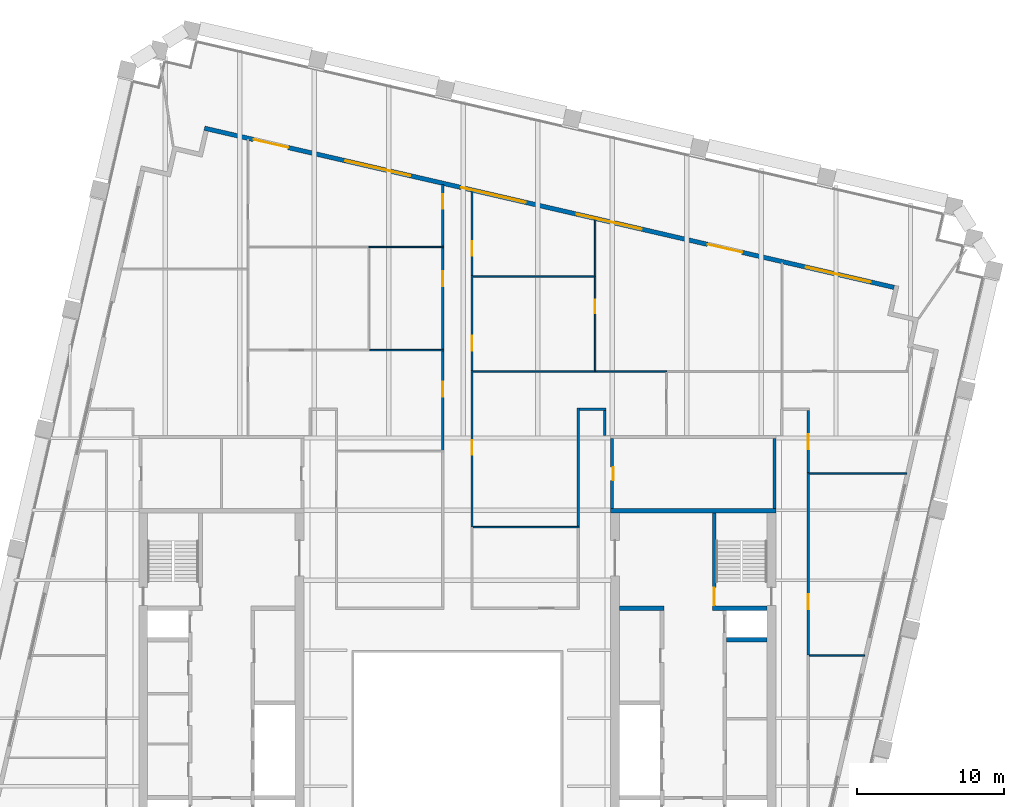
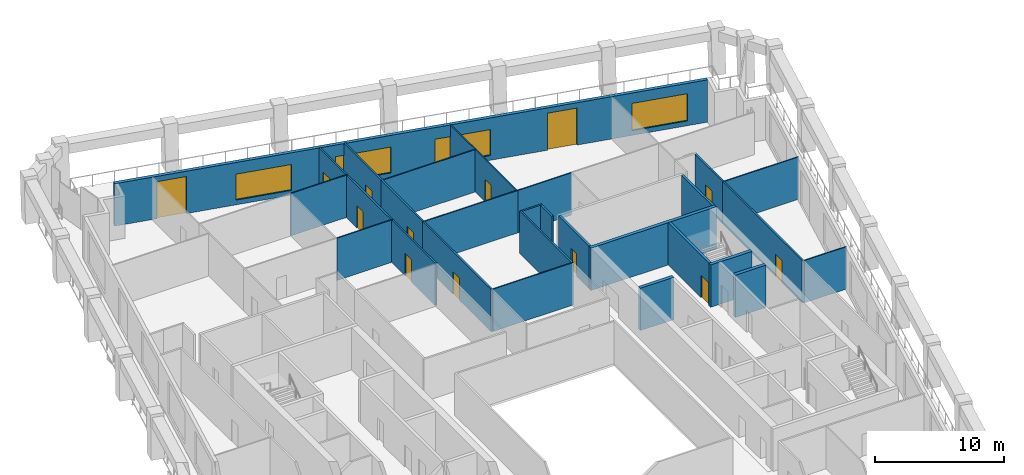
# One storey, part 7 of 9: 29 walls, 13 doors, 4 windows, 17 openings.
"""IFC4 building model written with IfcOpenShell, lengths in metres."""

from ifc_helpers import new_model, si_unit, direction, frame, frame_2d, origin, place, context, subcontext, project, spatial, rectangle, extrude, material, layer, layer_set, type_object, element, fill, save


model = new_model("IFC4")

# Units and contexts
model_context = context("Model", 3, precision=1e-05, world=origin(), true_north=direction((0.0, 1.0)))
body_context = subcontext(model_context, "Body", "Model", "MODEL_VIEW")
ifc_project = project(units=[si_unit("LENGTHUNIT", "METRE"), si_unit("AREAUNIT", "SQUARE_METRE"), si_unit("VOLUMEUNIT", "CUBIC_METRE"), si_unit("PLANEANGLEUNIT", "RADIAN"), si_unit("MASSUNIT", "GRAM", prefix="KILO")], contexts=[model_context])

# Site, building, storey
site_placement = place(None, origin())
site = spatial("IfcSite", under=ifc_project, at=site_placement, CompositionType="ELEMENT")
building_placement = place(site_placement, origin())
building = spatial("IfcBuilding", under=site, at=building_placement, Name="Ogive Exchange Tower", CompositionType="ELEMENT")
storey_placement = place(building_placement, frame((0.0, 0.0, 276.60009765625)))
storey = spatial("IfcBuildingStorey", under=building, at=storey_placement, Name="L60", CompositionType="ELEMENT", Elevation=276.60009765625)

# Wall
ifc_material_1 = material(Name="Gypsum board partition")
ifc_layer_1 = layer(ifc_material_1, 0.300048828125)
ifc_layer_set_1 = layer_set([ifc_layer_1], Name="Core room partition 300 gypsum")
wall_type_1 = type_object("IfcWallType", Name="Core room partition 300 gypsum", PredefinedType="PARTITIONING", material=ifc_layer_set_1)
wall_1_placement = place(storey_placement, frame((11.0, 19.0, 0.0), z_axis=(0.0, 0.0, 1.0), x_axis=(1.0, 0.0, 0.0)))
element("IfcWall", 1, at=wall_1_placement, inside=storey, type_object=wall_type_1, Name="E row B room end wall 7", PredefinedType="PARTITIONING", context=body_context, shape_type="SweptSolid", body=[
    extrude(rectangle(XDim=3.0, YDim=0.300048828125, at=frame_2d((1.5, 0.0))), origin(), (0.0, 0.0, 1.0), 4.0),
])

# Wall, opening, door
ifc_material_2 = material(Name="Fire partition EI 60 150")
ifc_layer_2 = layer(ifc_material_2, 0.14990234375)
ifc_layer_set_2 = layer_set([ifc_layer_2], Name="Fire partition EI 60 150")
wall_type_2 = type_object("IfcWallType", Name="Fire partition EI 60 150", PredefinedType="PARTITIONING", material=ifc_layer_set_2)
wall_2_placement = place(storey_placement, frame((-0.989990234375, 29.7099609375, 0.0), z_axis=(0.0, 0.0, 1.0), x_axis=(0.0, 1.0, 0.0)))
wall_2 = element("IfcWall", 2, at=wall_2_placement, inside=storey, type_object=wall_type_2, Name="L60-PWL-032", PredefinedType="PARTITIONING", context=body_context, shape_type="SweptSolid", body=[
    extrude(rectangle(XDim=6.739990234375, YDim=0.14990234375, at=frame_2d((3.3701171875, 0.0))), origin(), (0.0, 0.0, 1.0), 4.0),
])
opening_1_placement = place(wall_2_placement, frame((3.639892578125, 0.0, 0.0)))
opening_1 = element("IfcOpeningElement", 3, at=opening_1_placement, cuts=wall_2, Name="Opening L60-I16", PredefinedType="OPENING", context=body_context, shape_type="SweptSolid", body=[
    extrude(rectangle(XDim=1.0, YDim=2.10009765625, at=frame_2d((0.5, 1.050048828125))), frame((0.0, 0.0849609375, 0.0), z_axis=(0.0, -1.0, 0.0), x_axis=(1.0, 0.0, 0.0)), (0.0, 0.0, 1.0), 0.169921875),
])
ifc_material_3 = material(Name="Fire door FD 30S 1000 x 2100")
door_type_1 = type_object("IfcDoorType", Name="Fire door FD 30S 1000 x 2100", OperationType="NOTDEFINED", PredefinedType="DOOR", material=ifc_material_3)
door_1_placement = place(opening_1_placement, origin())
door_1 = element("IfcDoor", 4, at=door_1_placement, inside=storey, type_object=door_type_1, Name="L60-IDR-016", ObjectType="DT3", OperationType="SINGLE_SWING_LEFT", OverallHeight=2.10009765625, OverallWidth=1.0, PredefinedType="DOOR", context=body_context, shape_type="SweptSolid", body=[
    extrude(rectangle(XDim=1.0, YDim=2.10009765625, at=frame_2d((0.5, 1.050048828125))), frame((0.0, 0.02490234375, 0.0), z_axis=(0.0, -1.0, 0.0), x_axis=(1.0, 0.0, 0.0)), (0.0, 0.0, 1.0), 0.050048828125),
])
fill(opening_1, door_1)

wall_3_placement = place(storey_placement, frame((-0.989990234375, 36.550048828125, 0.0), z_axis=(0.0, 0.0, 1.0), x_axis=(0.0, 1.0, 0.0)))
wall_3 = element("IfcWall", 5, at=wall_3_placement, inside=storey, type_object=wall_type_2, Name="L60-PWL-033", PredefinedType="PARTITIONING", context=body_context, shape_type="SweptSolid", body=[
    extrude(rectangle(XDim=6.89990234375, YDim=0.14990234375, at=frame_2d((3.449951171875, 0.0))), origin(), (0.0, 0.0, 1.0), 4.0),
])
opening_2_placement = place(wall_3_placement, frame((4.300048828125, 0.0, 0.0)))
opening_2 = element("IfcOpeningElement", 6, at=opening_2_placement, cuts=wall_3, Name="Opening L60-I18", PredefinedType="OPENING", context=body_context, shape_type="SweptSolid", body=[
    extrude(rectangle(XDim=1.0, YDim=2.10009765625, at=frame_2d((0.5, 1.050048828125))), frame((0.0, 0.0849609375, 0.0), z_axis=(0.0, -1.0, 0.0), x_axis=(1.0, 0.0, 0.0)), (0.0, 0.0, 1.0), 0.169921875),
])
door_2_placement = place(opening_2_placement, origin())
door_2 = element("IfcDoor", 7, at=door_2_placement, inside=storey, type_object=door_type_1, Name="L60-IDR-018", ObjectType="DT3", OperationType="SINGLE_SWING_LEFT", OverallHeight=2.10009765625, OverallWidth=1.0, PredefinedType="DOOR", context=body_context, shape_type="SweptSolid", body=[
    extrude(rectangle(XDim=1.0, YDim=2.10009765625, at=frame_2d((0.5, 1.050048828125))), frame((0.0, 0.02490234375, 0.0), z_axis=(0.0, -1.0, 0.0), x_axis=(1.0, 0.0, 0.0)), (0.0, 0.0, 1.0), 0.050048828125),
])
fill(opening_2, door_2)

wall_4_placement = place(storey_placement, frame((-0.989990234375, 43.550048828125, 0.0), z_axis=(0.0, 0.0, 1.0), x_axis=(0.0, 1.0, 0.0)))
wall_4 = element("IfcWall", 8, at=wall_4_placement, inside=storey, type_object=wall_type_2, Name="L60-PWL-034", PredefinedType="PARTITIONING", context=body_context, shape_type="SweptSolid", body=[
    extrude(rectangle(XDim=4.202880859375, YDim=0.14990234375, at=frame_2d((2.1015625, 0.0))), origin(), (0.0, 0.0, 1.0), 4.0),
])
opening_3_placement = place(wall_4_placement, frame((2.530029296875, 0.0, 0.0)))
opening_3 = element("IfcOpeningElement", 9, at=opening_3_placement, cuts=wall_4, Name="Opening L60-I19", PredefinedType="OPENING", context=body_context, shape_type="SweptSolid", body=[
    extrude(rectangle(XDim=1.0, YDim=2.10009765625, at=frame_2d((0.5, 1.050048828125))), frame((0.0, 0.0849609375, 0.0), z_axis=(0.0, -1.0, 0.0), x_axis=(1.0, 0.0, 0.0)), (0.0, 0.0, 1.0), 0.169921875),
])
door_3_placement = place(opening_3_placement, origin())
door_3 = element("IfcDoor", 10, at=door_3_placement, inside=storey, type_object=door_type_1, Name="L60-IDR-019", ObjectType="DT3", OperationType="SINGLE_SWING_LEFT", OverallHeight=2.10009765625, OverallWidth=1.0, PredefinedType="DOOR", context=body_context, shape_type="SweptSolid", body=[
    extrude(rectangle(XDim=1.0, YDim=2.10009765625, at=frame_2d((0.5, 1.050048828125))), frame((0.0, 0.02490234375, 0.0), z_axis=(0.0, -1.0, 0.0), x_axis=(1.0, 0.0, 0.0)), (0.0, 0.0, 1.0), 0.050048828125),
])
fill(opening_3, door_3)

wall_5_placement = place(storey_placement, frame((0.989990234375, 35.1201171875, 0.0), z_axis=(0.0, 0.0, 1.0), x_axis=(0.0, -1.0, 0.0)))
wall_5 = element("IfcWall", 11, at=wall_5_placement, inside=storey, type_object=wall_type_2, Name="L60-PWL-039", PredefinedType="PARTITIONING", context=body_context, shape_type="SweptSolid", body=[
    extrude(rectangle(XDim=10.6201171875, YDim=0.14990234375, at=frame_2d((5.31005859375, 0.0))), origin(), (0.0, 0.0, 1.0), 4.0),
])
opening_4_placement = place(wall_5_placement, frame((4.719970703125, 0.0, 0.0)))
opening_4 = element("IfcOpeningElement", 12, at=opening_4_placement, cuts=wall_5, Name="Opening L60-I05", PredefinedType="OPENING", context=body_context, shape_type="SweptSolid", body=[
    extrude(rectangle(XDim=1.0, YDim=2.10009765625, at=frame_2d((0.5, 1.050048828125))), frame((0.0, 0.0849609375, 0.0), z_axis=(0.0, -1.0, 0.0), x_axis=(1.0, 0.0, 0.0)), (0.0, 0.0, 1.0), 0.169921875),
])
door_4_placement = place(opening_4_placement, origin())
door_4 = element("IfcDoor", 13, at=door_4_placement, inside=storey, type_object=door_type_1, Name="L60-IDR-005", ObjectType="DT3", OperationType="SINGLE_SWING_LEFT", OverallHeight=2.10009765625, OverallWidth=1.0, PredefinedType="DOOR", context=body_context, shape_type="SweptSolid", body=[
    extrude(rectangle(XDim=1.0, YDim=2.10009765625, at=frame_2d((0.5, 1.050048828125))), frame((0.0, 0.02490234375, 0.0), z_axis=(0.0, -1.0, 0.0), x_axis=(1.0, 0.0, 0.0)), (0.0, 0.0, 1.0), 0.050048828125),
])
fill(opening_4, door_4)

wall_6_placement = place(storey_placement, frame((0.989990234375, 41.550048828125, 0.0), z_axis=(0.0, 0.0, 1.0), x_axis=(0.0, -1.0, 0.0)))
wall_6 = element("IfcWall", 14, at=wall_6_placement, inside=storey, type_object=wall_type_2, Name="L60-PWL-040", PredefinedType="PARTITIONING", context=body_context, shape_type="SweptSolid", body=[
    extrude(rectangle(XDim=6.429931640625, YDim=0.14990234375, at=frame_2d((3.21484375, 0.0))), origin(), (0.0, 0.0, 1.0), 4.0),
])
opening_5_placement = place(wall_6_placement, frame((4.080078125, 0.0, 0.0)))
opening_5 = element("IfcOpeningElement", 15, at=opening_5_placement, cuts=wall_6, Name="Opening L60-I03", PredefinedType="OPENING", context=body_context, shape_type="SweptSolid", body=[
    extrude(rectangle(XDim=1.0, YDim=2.10009765625, at=frame_2d((0.5, 1.050048828125))), frame((0.0, 0.0849609375, 0.0), z_axis=(0.0, -1.0, 0.0), x_axis=(1.0, 0.0, 0.0)), (0.0, 0.0, 1.0), 0.169921875),
])
door_5_placement = place(opening_5_placement, origin())
door_5 = element("IfcDoor", 16, at=door_5_placement, inside=storey, type_object=door_type_1, Name="L60-IDR-003", ObjectType="DT3", OperationType="SINGLE_SWING_LEFT", OverallHeight=2.10009765625, OverallWidth=1.0, PredefinedType="DOOR", context=body_context, shape_type="SweptSolid", body=[
    extrude(rectangle(XDim=1.0, YDim=2.10009765625, at=frame_2d((0.5, 1.050048828125))), frame((0.0, 0.02490234375, 0.0), z_axis=(0.0, -1.0, 0.0), x_axis=(1.0, 0.0, 0.0)), (0.0, 0.0, 1.0), 0.050048828125),
])
fill(opening_5, door_5)

wall_7_placement = place(storey_placement, frame((0.989990234375, 47.2958984375, 0.0), z_axis=(0.0, 0.0, 1.0), x_axis=(0.0, -1.0, 0.0)))
wall_7 = element("IfcWall", 17, at=wall_7_placement, inside=storey, type_object=wall_type_2, Name="L60-PWL-041", PredefinedType="PARTITIONING", context=body_context, shape_type="SweptSolid", body=[
    extrude(rectangle(XDim=5.745849609375, YDim=0.14990234375, at=frame_2d((2.873046875, 0.0))), origin(), (0.0, 0.0, 1.0), 4.0),
])
opening_6_placement = place(wall_7_placement, frame((3.39599609375, 0.0, 0.0)))
opening_6 = element("IfcOpeningElement", 18, at=opening_6_placement, cuts=wall_7, Name="Opening L60-I02", PredefinedType="OPENING", context=body_context, shape_type="SweptSolid", body=[
    extrude(rectangle(XDim=1.0, YDim=2.10009765625, at=frame_2d((0.5, 1.050048828125))), frame((0.0, 0.0849609375, 0.0), z_axis=(0.0, -1.0, 0.0), x_axis=(1.0, 0.0, 0.0)), (0.0, 0.0, 1.0), 0.169921875),
])
door_6_placement = place(opening_6_placement, origin())
door_6 = element("IfcDoor", 19, at=door_6_placement, inside=storey, type_object=door_type_1, Name="L60-IDR-002", ObjectType="DT3", OperationType="SINGLE_SWING_LEFT", OverallHeight=2.10009765625, OverallWidth=1.0, PredefinedType="DOOR", context=body_context, shape_type="SweptSolid", body=[
    extrude(rectangle(XDim=1.0, YDim=2.10009765625, at=frame_2d((0.5, 1.050048828125))), frame((0.0, 0.02490234375, 0.0), z_axis=(0.0, -1.0, 0.0), x_axis=(1.0, 0.0, 0.0)), (0.0, 0.0, 1.0), 0.050048828125),
])
fill(opening_6, door_6)

# Walls
wall_8_placement = place(storey_placement, frame((8.199951171875, 24.550048828125, 0.0), z_axis=(0.0, 0.0, 1.0), x_axis=(0.0, 1.0, 0.0)))
element("IfcWall", 20, at=wall_8_placement, inside=storey, type_object=wall_type_2, Name="L60-PWL-043", PredefinedType="PARTITIONING", context=body_context, shape_type="SweptSolid", body=[
    extrude(rectangle(XDim=8.02490234375, YDim=0.14990234375, at=frame_2d((4.012451171875, 0.0))), origin(), (0.0, 0.0, 1.0), 4.0),
])
wall_9_placement = place(storey_placement, frame((8.27490234375, 32.5, 0.0), z_axis=(0.0, 0.0, 1.0), x_axis=(1.0, 0.0, 0.0)))
element("IfcWall", 21, at=wall_9_placement, inside=storey, type_object=wall_type_2, Name="L60-PWL-044", PredefinedType="PARTITIONING", context=body_context, shape_type="SweptSolid", body=[
    extrude(rectangle(XDim=1.800048828125, YDim=0.14990234375, at=frame_2d((0.89990234375, 0.0))), origin(), (0.0, 0.0, 1.0), 4.0),
])
wall_10_placement = place(storey_placement, frame((10.0, 32.425048828125, 0.0), z_axis=(0.0, 0.0, 1.0), x_axis=(0.0, -1.0, 0.0)))
element("IfcWall", 22, at=wall_10_placement, inside=storey, type_object=wall_type_2, Name="L60-PWL-053", PredefinedType="PARTITIONING", context=body_context, shape_type="SweptSolid", body=[
    extrude(rectangle(XDim=1.72509765625, YDim=0.14990234375, at=frame_2d((0.862548828125, 0.0))), origin(), (0.0, 0.0, 1.0), 4.0),
])

# Wall, opening, door
wall_11_placement = place(storey_placement, frame((23.800048828125, 28.18994140625, 0.0), z_axis=(0.0, 0.0, 1.0), x_axis=(0.0, -1.0, 0.0)))
wall_11 = element("IfcWall", 23, at=wall_11_placement, inside=storey, type_object=wall_type_2, Name="L60-PWL-068", PredefinedType="PARTITIONING", context=body_context, shape_type="SweptSolid", body=[
    extrude(rectangle(XDim=12.349853515625, YDim=0.14990234375, at=frame_2d((6.1748046875, 0.0))), origin(), (0.0, 0.0, 1.0), 4.0),
])
opening_7_placement = place(wall_11_placement, frame((8.25, 0.0, 0.0)))
opening_7 = element("IfcOpeningElement", 24, at=opening_7_placement, cuts=wall_11, Name="Opening L60-I11", PredefinedType="OPENING", context=body_context, shape_type="SweptSolid", body=[
    extrude(rectangle(XDim=1.0, YDim=2.10009765625, at=frame_2d((0.5, 1.050048828125))), frame((0.0, 0.0849609375, 0.0), z_axis=(0.0, -1.0, 0.0), x_axis=(1.0, 0.0, 0.0)), (0.0, 0.0, 1.0), 0.169921875),
])
door_7_placement = place(opening_7_placement, origin())
door_7 = element("IfcDoor", 25, at=door_7_placement, inside=storey, type_object=door_type_1, Name="L60-IDR-011", ObjectType="DT3", OperationType="SINGLE_SWING_LEFT", OverallHeight=2.10009765625, OverallWidth=1.0, PredefinedType="DOOR", context=body_context, shape_type="SweptSolid", body=[
    extrude(rectangle(XDim=1.0, YDim=2.10009765625, at=frame_2d((0.5, 1.050048828125))), frame((0.0, 0.02490234375, 0.0), z_axis=(0.0, -1.0, 0.0), x_axis=(1.0, 0.0, 0.0)), (0.0, 0.0, 1.0), 0.050048828125),
])
fill(opening_7, door_7)

wall_12_placement = place(storey_placement, frame((23.800048828125, 32.425048828125, 0.0), z_axis=(0.0, 0.0, 1.0), x_axis=(0.0, -1.0, 0.0)))
wall_12 = element("IfcWall", 26, at=wall_12_placement, inside=storey, type_object=wall_type_2, Name="L60-PWL-070", PredefinedType="PARTITIONING", context=body_context, shape_type="SweptSolid", body=[
    extrude(rectangle(XDim=4.235107421875, YDim=0.14990234375, at=frame_2d((2.11767578125, 0.0))), origin(), (0.0, 0.0, 1.0), 4.0),
])
opening_8_placement = place(wall_12_placement, frame((1.635009765625, 0.0, 0.0)))
opening_8 = element("IfcOpeningElement", 27, at=opening_8_placement, cuts=wall_12, Name="Opening L60-I12", PredefinedType="OPENING", context=body_context, shape_type="SweptSolid", body=[
    extrude(rectangle(XDim=1.0, YDim=2.10009765625, at=frame_2d((0.5, 1.050048828125))), frame((0.0, 0.0849609375, 0.0), z_axis=(0.0, -1.0, 0.0), x_axis=(1.0, 0.0, 0.0)), (0.0, 0.0, 1.0), 0.169921875),
])
door_8_placement = place(opening_8_placement, origin())
door_8 = element("IfcDoor", 28, at=door_8_placement, inside=storey, type_object=door_type_1, Name="L60-IDR-012", ObjectType="DT3", OperationType="SINGLE_SWING_LEFT", OverallHeight=2.10009765625, OverallWidth=1.0, PredefinedType="DOOR", context=body_context, shape_type="SweptSolid", body=[
    extrude(rectangle(XDim=1.0, YDim=2.10009765625, at=frame_2d((0.5, 1.050048828125))), frame((0.0, 0.02490234375, 0.0), z_axis=(0.0, -1.0, 0.0), x_axis=(1.0, 0.0, 0.0)), (0.0, 0.0, 1.0), 0.050048828125),
])
fill(opening_8, door_8)

# Wall, openings, doors, windows
ifc_material_4 = material(Name="Precast concrete C40/50", Category="concrete")
ifc_layer_3 = layer(ifc_material_4, 0.300048828125)
ifc_layer_set_3 = layer_set([ifc_layer_3], Name="Limestone-faced wall 300")
wall_type_3 = type_object("IfcWallType", Name="Limestone-faced wall 300", PredefinedType="STANDARD", material=ifc_layer_set_3)
wall_13_placement = place(storey_placement, frame((29.6162109375, 40.75830078125, 0.0), z_axis=(0.0, 0.0, 1.0), x_axis=(-0.974370532314, 0.224949029246, 0.0)))
wall_13 = element("IfcWall", 29, at=wall_13_placement, inside=storey, type_object=wall_type_3, Name="External wall N3", PredefinedType="STANDARD", context=body_context, shape_type="SweptSolid", body=[
    extrude(rectangle(XDim=48.000244140625, YDim=0.300048828125, at=frame_2d((24.0, 0.0))), origin(), (0.0, 0.0, 1.0), 4.0),
])
opening_9_placement = place(wall_13_placement, frame((1.625, 0.0, 0.449951171875)))
opening_9 = element("IfcOpeningElement", 30, at=opening_9_placement, cuts=wall_13, Name="Opening W1M", PredefinedType="OPENING", context=body_context, shape_type="SweptSolid", body=[
    extrude(rectangle(XDim=4.5, YDim=2.574951171875, at=frame_2d((2.25, 1.28759765625))), frame((0.0, 0.159912109375, 0.0), z_axis=(0.0, -1.0, 0.0), x_axis=(1.0, 0.0, 0.0)), (0.0, 0.0, 1.0), 0.320068359375),
])
opening_10_placement = place(wall_13_placement, frame((10.574951171875, 0.0, 0.0)))
opening_10 = element("IfcOpeningElement", 31, at=opening_10_placement, cuts=wall_13, Name="Opening D1", PredefinedType="OPENING", context=body_context, shape_type="SweptSolid", body=[
    extrude(rectangle(XDim=2.39990234375, YDim=3.5, at=frame_2d((1.199951171875, 1.75))), frame((0.0, 0.159912109375, 0.0), z_axis=(0.0, -1.0, 0.0), x_axis=(1.0, 0.0, 0.0)), (0.0, 0.0, 1.0), 0.320068359375),
])
opening_11_placement = place(wall_13_placement, frame((17.574951171875, 0.0, 0.449951171875)))
opening_11 = element("IfcOpeningElement", 32, at=opening_11_placement, cuts=wall_13, Name="Opening W1Q", PredefinedType="OPENING", context=body_context, shape_type="SweptSolid", body=[
    extrude(rectangle(XDim=4.5, YDim=2.449951171875, at=frame_2d((2.25, 1.22509765625))), frame((0.0, 0.159912109375, 0.0), z_axis=(0.0, -1.0, 0.0), x_axis=(1.0, 0.0, 0.0)), (0.0, 0.0, 1.0), 0.320068359375),
])
opening_12_placement = place(wall_13_placement, frame((25.625, 0.0, 0.449951171875)))
opening_12 = element("IfcOpeningElement", 33, at=opening_12_placement, cuts=wall_13, Name="Opening W1Q", PredefinedType="OPENING", context=body_context, shape_type="SweptSolid", body=[
    extrude(rectangle(XDim=4.5, YDim=2.449951171875, at=frame_2d((2.25, 1.22509765625))), frame((0.0, 0.159912109375, 0.0), z_axis=(0.0, -1.0, 0.0), x_axis=(1.0, 0.0, 0.0)), (0.0, 0.0, 1.0), 0.320068359375),
])
opening_13_placement = place(wall_13_placement, frame((33.675048828125, 0.0, 0.449951171875)))
opening_13 = element("IfcOpeningElement", 34, at=opening_13_placement, cuts=wall_13, Name="Opening W1Q", PredefinedType="OPENING", context=body_context, shape_type="SweptSolid", body=[
    extrude(rectangle(XDim=4.5, YDim=2.449951171875, at=frame_2d((2.25, 1.22509765625))), frame((0.0, 0.159912109375, 0.0), z_axis=(0.0, -1.0, 0.0), x_axis=(1.0, 0.0, 0.0)), (0.0, 0.0, 1.0), 0.320068359375),
])
opening_14_placement = place(wall_13_placement, frame((42.175048828125, 0.0, 0.0)))
opening_14 = element("IfcOpeningElement", 35, at=opening_14_placement, cuts=wall_13, Name="Opening D1", PredefinedType="OPENING", context=body_context, shape_type="SweptSolid", body=[
    extrude(rectangle(XDim=2.39990234375, YDim=3.5, at=frame_2d((1.199951171875, 1.75))), frame((0.0, 0.159912109375, 0.0), z_axis=(0.0, -1.0, 0.0), x_axis=(1.0, 0.0, 0.0)), (0.0, 0.0, 1.0), 0.320068359375),
])
ifc_material_5 = material(Name="Clear glass in bronze frame", Category="glass")
door_type_2 = type_object("IfcDoorType", Name="Sliding loggia door 2400 x 3500", OperationType="DOUBLE_DOOR_SLIDING", PredefinedType="DOOR", material=ifc_material_5)
door_9_placement = place(opening_10_placement, origin())
door_9 = element("IfcDoor", 36, at=door_9_placement, inside=storey, type_object=door_type_2, Name="Loggia door N01", OperationType="DOUBLE_DOOR_SLIDING", OverallHeight=3.5, OverallWidth=2.39990234375, PredefinedType="DOOR", context=body_context, shape_type="SweptSolid", body=[
    extrude(rectangle(XDim=2.39990234375, YDim=3.5, at=frame_2d((1.199951171875, 1.75))), frame((0.0, 0.02490234375, 0.0), z_axis=(0.0, -1.0, 0.0), x_axis=(1.0, 0.0, 0.0)), (0.0, 0.0, 1.0), 0.050048828125),
])
fill(opening_10, door_9)
door_10_placement = place(opening_14_placement, origin())
door_10 = element("IfcDoor", 37, at=door_10_placement, inside=storey, type_object=door_type_2, Name="Loggia door N05", OperationType="DOUBLE_DOOR_SLIDING", OverallHeight=3.5, OverallWidth=2.39990234375, PredefinedType="DOOR", context=body_context, shape_type="SweptSolid", body=[
    extrude(rectangle(XDim=2.39990234375, YDim=3.5, at=frame_2d((1.199951171875, 1.75))), frame((0.0, 0.02490234375, 0.0), z_axis=(0.0, -1.0, 0.0), x_axis=(1.0, 0.0, 0.0)), (0.0, 0.0, 1.0), 0.050048828125),
])
fill(opening_14, door_10)
window_type_1 = type_object("IfcWindowType", Name="Twin lancet window 4500 x 2450", PartitioningType="DOUBLE_PANEL_VERTICAL", PredefinedType="WINDOW", material=ifc_material_5)
window_1_placement = place(opening_11_placement, origin())
window_1 = element("IfcWindow", 38, at=window_1_placement, inside=storey, type_object=window_type_1, Name="Window N02", OverallHeight=2.449951171875, OverallWidth=4.5, PartitioningType="DOUBLE_PANEL_VERTICAL", PredefinedType="WINDOW", context=body_context, shape_type="SweptSolid", body=[
    extrude(rectangle(XDim=4.5, YDim=2.449951171875, at=frame_2d((2.25, 1.22509765625))), frame((0.0, 0.030029296875, 0.0), z_axis=(0.0, -1.0, 0.0), x_axis=(1.0, 0.0, 0.0)), (0.0, 0.0, 1.0), 0.06005859375),
])
fill(opening_11, window_1)
window_2_placement = place(opening_12_placement, origin())
window_2 = element("IfcWindow", 39, at=window_2_placement, inside=storey, type_object=window_type_1, Name="Window N03", OverallHeight=2.449951171875, OverallWidth=4.5, PartitioningType="DOUBLE_PANEL_VERTICAL", PredefinedType="WINDOW", context=body_context, shape_type="SweptSolid", body=[
    extrude(rectangle(XDim=4.5, YDim=2.449951171875, at=frame_2d((2.25, 1.22509765625))), frame((0.0, 0.030029296875, 0.0), z_axis=(0.0, -1.0, 0.0), x_axis=(1.0, 0.0, 0.0)), (0.0, 0.0, 1.0), 0.06005859375),
])
fill(opening_12, window_2)
window_3_placement = place(opening_13_placement, origin())
window_3 = element("IfcWindow", 40, at=window_3_placement, inside=storey, type_object=window_type_1, Name="Window N04", OverallHeight=2.449951171875, OverallWidth=4.5, PartitioningType="DOUBLE_PANEL_VERTICAL", PredefinedType="WINDOW", context=body_context, shape_type="SweptSolid", body=[
    extrude(rectangle(XDim=4.5, YDim=2.449951171875, at=frame_2d((2.25, 1.22509765625))), frame((0.0, 0.030029296875, 0.0), z_axis=(0.0, -1.0, 0.0), x_axis=(1.0, 0.0, 0.0)), (0.0, 0.0, 1.0), 0.06005859375),
])
fill(opening_13, window_3)
window_type_2 = type_object("IfcWindowType", Name="Twin lancet window 4500 x 2575", PartitioningType="DOUBLE_PANEL_VERTICAL", PredefinedType="WINDOW", material=ifc_material_5)
window_4_placement = place(opening_9_placement, origin())
window_4 = element("IfcWindow", 41, at=window_4_placement, inside=storey, type_object=window_type_2, Name="Window N00", OverallHeight=2.574951171875, OverallWidth=4.5, PartitioningType="DOUBLE_PANEL_VERTICAL", PredefinedType="WINDOW", context=body_context, shape_type="SweptSolid", body=[
    extrude(rectangle(XDim=4.5, YDim=2.574951171875, at=frame_2d((2.25, 1.28759765625))), frame((0.0, 0.030029296875, 0.0), z_axis=(0.0, -1.0, 0.0), x_axis=(1.0, 0.0, 0.0)), (0.0, 0.0, 1.0), 0.06005859375),
])
fill(opening_9, window_4)

# Walls
ifc_material_6 = material(Name="Partition 100 gypsum")
ifc_layer_4 = layer(ifc_material_6, 0.10009765625)
ifc_layer_set_4 = layer_set([ifc_layer_4], Name="Partition 100 gypsum")
wall_type_4 = type_object("IfcWallType", Name="Partition 100 gypsum", PredefinedType="PARTITIONING", material=ifc_layer_set_4)
wall_14_placement = place(storey_placement, frame((-5.949951171875, 36.5, 0.0), z_axis=(0.0, 0.0, 1.0), x_axis=(1.0, 0.0, 0.0)))
element("IfcWall", 42, at=wall_14_placement, inside=storey, type_object=wall_type_4, Name="L60-PWL-028", PredefinedType="PARTITIONING", context=body_context, shape_type="SweptSolid", body=[
    extrude(rectangle(XDim=5.034912109375, YDim=0.10009765625, at=frame_2d((2.517578125, 0.0))), origin(), (0.0, 0.0, 1.0), 4.0),
])
wall_15_placement = place(storey_placement, frame((-6.0, 43.5, 0.0), z_axis=(0.0, 0.0, 1.0), x_axis=(1.0, 0.0, 0.0)))
element("IfcWall", 43, at=wall_15_placement, inside=storey, type_object=wall_type_4, Name="L60-PWL-030", PredefinedType="PARTITIONING", context=body_context, shape_type="SweptSolid", body=[
    extrude(rectangle(XDim=5.0849609375, YDim=0.10009765625, at=frame_2d((2.54248046875, 0.0))), origin(), (0.0, 0.0, 1.0), 4.0),
])
wall_16_placement = place(storey_placement, frame((1.06494140625, 24.5, 0.0), z_axis=(0.0, 0.0, 1.0), x_axis=(1.0, 0.0, 0.0)))
element("IfcWall", 44, at=wall_16_placement, inside=storey, type_object=wall_type_4, Name="L60-PWL-038", PredefinedType="PARTITIONING", context=body_context, shape_type="SweptSolid", body=[
    extrude(rectangle(XDim=7.2099609375, YDim=0.10009765625, at=frame_2d((3.60498046875, 0.0))), origin(), (0.0, 0.0, 1.0), 4.0),
])
wall_17_placement = place(storey_placement, frame((9.389892578125, 35.070068359375, 0.0), z_axis=(0.0, 0.0, 1.0), x_axis=(-1.0, 0.0, 0.0)))
element("IfcWall", 45, at=wall_17_placement, inside=storey, type_object=wall_type_4, Name="L60-PWL-047", PredefinedType="PARTITIONING", context=body_context, shape_type="SweptSolid", body=[
    extrude(rectangle(XDim=8.324951171875, YDim=0.10009765625, at=frame_2d((4.16259765625, 0.0))), origin(), (0.0, 0.0, 1.0), 4.0),
])

# Wall, opening, door
wall_18_placement = place(storey_placement, frame((9.340087890625, 35.1201171875, 0.0), z_axis=(0.0, 0.0, 1.0), x_axis=(0.0, 1.0, 0.0)))
wall_18 = element("IfcWall", 46, at=wall_18_placement, inside=storey, type_object=wall_type_4, Name="L60-PWL-048", PredefinedType="PARTITIONING", context=body_context, shape_type="SweptSolid", body=[
    extrude(rectangle(XDim=6.429931640625, YDim=0.10009765625, at=frame_2d((3.21484375, 0.0))), origin(), (0.0, 0.0, 1.0), 4.0),
])
opening_15_placement = place(wall_18_placement, frame((3.89990234375, 0.0, 0.0)))
opening_15 = element("IfcOpeningElement", 47, at=opening_15_placement, cuts=wall_18, Name="Opening L60-I01", PredefinedType="OPENING", context=body_context, shape_type="SweptSolid", body=[
    extrude(rectangle(XDim=0.89990234375, YDim=2.10009765625, at=frame_2d((0.449951171875, 1.050048828125))), frame((0.0, 0.06005859375, 0.0), z_axis=(0.0, -1.0, 0.0), x_axis=(1.0, 0.0, 0.0)), (0.0, 0.0, 1.0), 0.1201171875),
])
ifc_material_7 = material(Name="Door 900 x 2100")
door_type_3 = type_object("IfcDoorType", Name="Door 900 x 2100", OperationType="NOTDEFINED", PredefinedType="DOOR", material=ifc_material_7)
door_11_placement = place(opening_15_placement, origin())
door_11 = element("IfcDoor", 48, at=door_11_placement, inside=storey, type_object=door_type_3, Name="L60-IDR-001", ObjectType="DT1", OperationType="SINGLE_SWING_LEFT", OverallHeight=2.10009765625, OverallWidth=0.89990234375, PredefinedType="DOOR", context=body_context, shape_type="SweptSolid", body=[
    extrude(rectangle(XDim=0.89990234375, YDim=2.10009765625, at=frame_2d((0.449951171875, 1.050048828125))), frame((0.0, 0.02490234375, 0.0), z_axis=(0.0, -1.0, 0.0), x_axis=(1.0, 0.0, 0.0)), (0.0, 0.0, 1.0), 0.050048828125),
])
fill(opening_15, door_11)

# Walls
wall_19_placement = place(storey_placement, frame((9.2900390625, 41.5, 0.0), z_axis=(0.0, 0.0, 1.0), x_axis=(-1.0, 0.0, 0.0)))
element("IfcWall", 49, at=wall_19_placement, inside=storey, type_object=wall_type_4, Name="L60-PWL-049", PredefinedType="PARTITIONING", context=body_context, shape_type="SweptSolid", body=[
    extrude(rectangle(XDim=8.22509765625, YDim=0.10009765625, at=frame_2d((4.112548828125, 0.0))), origin(), (0.0, 0.0, 1.0), 4.0),
])
wall_20_placement = place(storey_placement, frame((9.340087890625, 41.5, 0.0), z_axis=(0.0, 0.0, 1.0), x_axis=(0.0, 1.0, 0.0)))
element("IfcWall", 50, at=wall_20_placement, inside=storey, type_object=wall_type_4, Name="L60-PWL-050", PredefinedType="PARTITIONING", context=body_context, shape_type="SweptSolid", body=[
    extrude(rectangle(XDim=3.867919921875, YDim=0.10009765625, at=frame_2d((1.93408203125, 0.0))), origin(), (0.0, 0.0, 1.0), 4.0),
])
wall_21_placement = place(storey_placement, frame((14.18994140625, 35.070068359375, 0.0), z_axis=(0.0, 0.0, 1.0), x_axis=(-1.0, 0.0, 0.0)))
element("IfcWall", 51, at=wall_21_placement, inside=storey, type_object=wall_type_4, Name="L60-PWL-056", PredefinedType="PARTITIONING", context=body_context, shape_type="SweptSolid", body=[
    extrude(rectangle(XDim=4.800048828125, YDim=0.10009765625, at=frame_2d((2.39990234375, 0.0))), origin(), (0.0, 0.0, 1.0), 4.0),
])
wall_22_placement = place(storey_placement, frame((23.875, 15.7900390625, 0.0), z_axis=(0.0, 0.0, 1.0), x_axis=(1.0, 0.0, 0.0)))
element("IfcWall", 52, at=wall_22_placement, inside=storey, type_object=wall_type_4, Name="L60-PWL-067", PredefinedType="PARTITIONING", context=body_context, shape_type="SweptSolid", body=[
    extrude(rectangle(XDim=3.75390625, YDim=0.10009765625, at=frame_2d((1.876953125, 0.0))), origin(), (0.0, 0.0, 1.0), 4.0),
])
wall_23_placement = place(storey_placement, frame((23.875, 28.139892578125, 0.0), z_axis=(0.0, 0.0, 1.0), x_axis=(1.0, 0.0, 0.0)))
element("IfcWall", 53, at=wall_23_placement, inside=storey, type_object=wall_type_4, Name="L60-PWL-069", PredefinedType="PARTITIONING", context=body_context, shape_type="SweptSolid", body=[
    extrude(rectangle(XDim=6.60498046875, YDim=0.10009765625, at=frame_2d((3.302490234375, 0.0))), origin(), (0.0, 0.0, 1.0), 4.0),
])
ifc_material_8 = material(Name="Concrete C70/85", Category="concrete")
ifc_layer_5 = layer(ifc_material_8, 0.199951171875)
ifc_layer_set_5 = layer_set([ifc_layer_5], Name="RC core wall 200 C70/85")
wall_type_5 = type_object("IfcWallType", Name="RC core wall 200 C70/85", PredefinedType="SHEAR", material=ifc_layer_set_5)
wall_24_placement = place(storey_placement, frame((21.5, 25.75, 0.0), z_axis=(0.0, 0.0, 1.0), x_axis=(0.0, 1.0, 0.0)))
element("IfcWall", 54, at=wall_24_placement, inside=storey, type_object=wall_type_5, Name="E annex N outer wall", PredefinedType="SHEAR", context=body_context, shape_type="SweptSolid", body=[
    extrude(rectangle(XDim=4.75, YDim=0.199951171875, at=frame_2d((2.375, 0.0))), origin(), (0.0, 0.0, 1.0), 4.0),
])

# Wall, opening, door
wall_25_placement = place(storey_placement, frame((10.5, 25.75, 0.0), z_axis=(0.0, 0.0, 1.0), x_axis=(0.0, 1.0, 0.0)))
wall_25 = element("IfcWall", 55, at=wall_25_placement, inside=storey, type_object=wall_type_5, Name="E annex N inner wall", PredefinedType="SHEAR", context=body_context, shape_type="SweptSolid", body=[
    extrude(rectangle(XDim=4.75, YDim=0.199951171875, at=frame_2d((2.375, 0.0))), origin(), (0.0, 0.0, 1.0), 4.0),
])
opening_16_placement = place(wall_25_placement, frame((1.925048828125, 0.0, 0.0)))
opening_16 = element("IfcOpeningElement", 56, at=opening_16_placement, cuts=wall_25, Name="Opening L60-C38", PredefinedType="OPENING", context=body_context, shape_type="SweptSolid", body=[
    extrude(rectangle(XDim=0.89990234375, YDim=2.10009765625, at=frame_2d((0.449951171875, 1.050048828125))), frame((0.0, 0.10986328125, 0.0), z_axis=(0.0, -1.0, 0.0), x_axis=(1.0, 0.0, 0.0)), (0.0, 0.0, 1.0), 0.219970703125),
])
ifc_material_9 = material(Name="Steel fire door", Category="steel")
door_type_4 = type_object("IfcDoorType", Name="Riser door FD60 900 x 2100", OperationType="NOTDEFINED", PredefinedType="DOOR", material=ifc_material_9)
door_12_placement = place(opening_16_placement, origin())
door_12 = element("IfcDoor", 57, at=door_12_placement, inside=storey, type_object=door_type_4, Name="Riser door", ObjectType="CD2", OperationType="SINGLE_SWING_LEFT", OverallHeight=2.10009765625, OverallWidth=0.89990234375, PredefinedType="DOOR", context=body_context, shape_type="SweptSolid", body=[
    extrude(rectangle(XDim=0.89990234375, YDim=2.10009765625, at=frame_2d((0.449951171875, 1.050048828125))), frame((0.0, -0.0498046875, 0.0), z_axis=(0.0, -1.0, 0.0), x_axis=(1.0, 0.0, 0.0)), (0.0, 0.0, 1.0), 0.050048828125),
])
fill(opening_16, door_12)

ifc_layer_6 = layer(ifc_material_8, 0.25)
ifc_layer_set_6 = layer_set([ifc_layer_6], Name="RC core wall 250 C70/85")
wall_type_6 = type_object("IfcWallType", Name="RC core wall 250 C70/85", PredefinedType="SHEAR", material=ifc_layer_set_6)
wall_26_placement = place(storey_placement, frame((17.425048828125, 19.14990234375, 0.0), z_axis=(0.0, 0.0, 1.0), x_axis=(0.0, 1.0, 0.0)))
wall_26 = element("IfcWall", 58, at=wall_26_placement, inside=storey, type_object=wall_type_6, Name="E stair N front wall", PredefinedType="SHEAR", context=body_context, shape_type="SweptSolid", body=[
    extrude(rectangle(XDim=6.300048828125, YDim=0.25, at=frame_2d((3.14990234375, 0.0))), origin(), (0.0, 0.0, 1.0), 4.0),
])
opening_17_placement = place(wall_26_placement, frame((0.050048828125, 0.0, 0.0)))
opening_17 = element("IfcOpeningElement", 59, at=opening_17_placement, cuts=wall_26, Name="Opening L60-C34", PredefinedType="OPENING", context=body_context, shape_type="SweptSolid", body=[
    extrude(rectangle(XDim=1.199951171875, YDim=2.10009765625, at=frame_2d((0.60009765625, 1.050048828125))), frame((0.0, 0.135009765625, 0.0), z_axis=(0.0, -1.0, 0.0), x_axis=(1.0, 0.0, 0.0)), (0.0, 0.0, 1.0), 0.27001953125),
])
door_type_5 = type_object("IfcDoorType", Name="Stair door FD90 1200 x 2100", OperationType="NOTDEFINED", PredefinedType="DOOR", material=ifc_material_9)
door_13_placement = place(opening_17_placement, frame((1.199951171875, 0.0, 0.0), z_axis=(0.0, 0.0, 1.0), x_axis=(-1.0, 0.0, 0.0)))
door_13 = element("IfcDoor", 60, at=door_13_placement, inside=storey, type_object=door_type_5, Name="Stair door", ObjectType="CD5", OperationType="SINGLE_SWING_LEFT", OverallHeight=2.10009765625, OverallWidth=1.199951171875, PredefinedType="DOOR", context=body_context, shape_type="SweptSolid", body=[
    extrude(rectangle(XDim=1.199951171875, YDim=2.10009765625, at=frame_2d((0.60009765625, 1.050048828125))), frame((0.0, 0.02490234375, 0.0), z_axis=(0.0, -1.0, 0.0), x_axis=(1.0, 0.0, 0.0)), (0.0, 0.0, 1.0), 0.050048828125),
])
fill(opening_17, door_13)

# Walls
ifc_layer_7 = layer(ifc_material_8, 0.300048828125)
ifc_layer_set_7 = layer_set([ifc_layer_7], Name="RC core wall 300 C70/85")
wall_type_7 = type_object("IfcWallType", Name="RC core wall 300 C70/85", PredefinedType="SHEAR", material=ifc_layer_set_7)
wall_27_placement = place(storey_placement, frame((10.39990234375, 25.60009765625, 0.0), z_axis=(0.0, 0.0, 1.0), x_axis=(1.0, 0.0, 0.0)))
element("IfcWall", 61, at=wall_27_placement, inside=storey, type_object=wall_type_7, Name="E north end wall", PredefinedType="SHEAR", context=body_context, shape_type="SweptSolid", body=[
    extrude(rectangle(XDim=11.2001953125, YDim=0.300048828125, at=frame_2d((5.60009765625, 0.0))), origin(), (0.0, 0.0, 1.0), 4.0),
])
wall_28_placement = place(storey_placement, frame((17.300048828125, 19.0, 0.0), z_axis=(0.0, 0.0, 1.0), x_axis=(1.0, 0.0, 0.0)))
element("IfcWall", 62, at=wall_28_placement, inside=storey, type_object=wall_type_7, Name="E stair N south wall", PredefinedType="SHEAR", context=body_context, shape_type="SweptSolid", body=[
    extrude(rectangle(XDim=3.699951171875, YDim=0.300048828125, at=frame_2d((1.85009765625, 0.0))), origin(), (0.0, 0.0, 1.0), 4.0),
])
wall_29_placement = place(storey_placement, frame((18.25, 16.857177734375, 0.0), z_axis=(0.0, 0.0, 1.0), x_axis=(1.0, 0.0, 0.0)))
element("IfcWall", 63, at=wall_29_placement, inside=storey, type_object=wall_type_7, Name="E row A divider 6", PredefinedType="SHEAR", context=body_context, shape_type="SweptSolid", body=[
    extrude(rectangle(XDim=2.75, YDim=0.300048828125, at=frame_2d((1.375, 0.0))), origin(), (0.0, 0.0, 1.0), 4.0),
])

save(model, "model.ifc")
